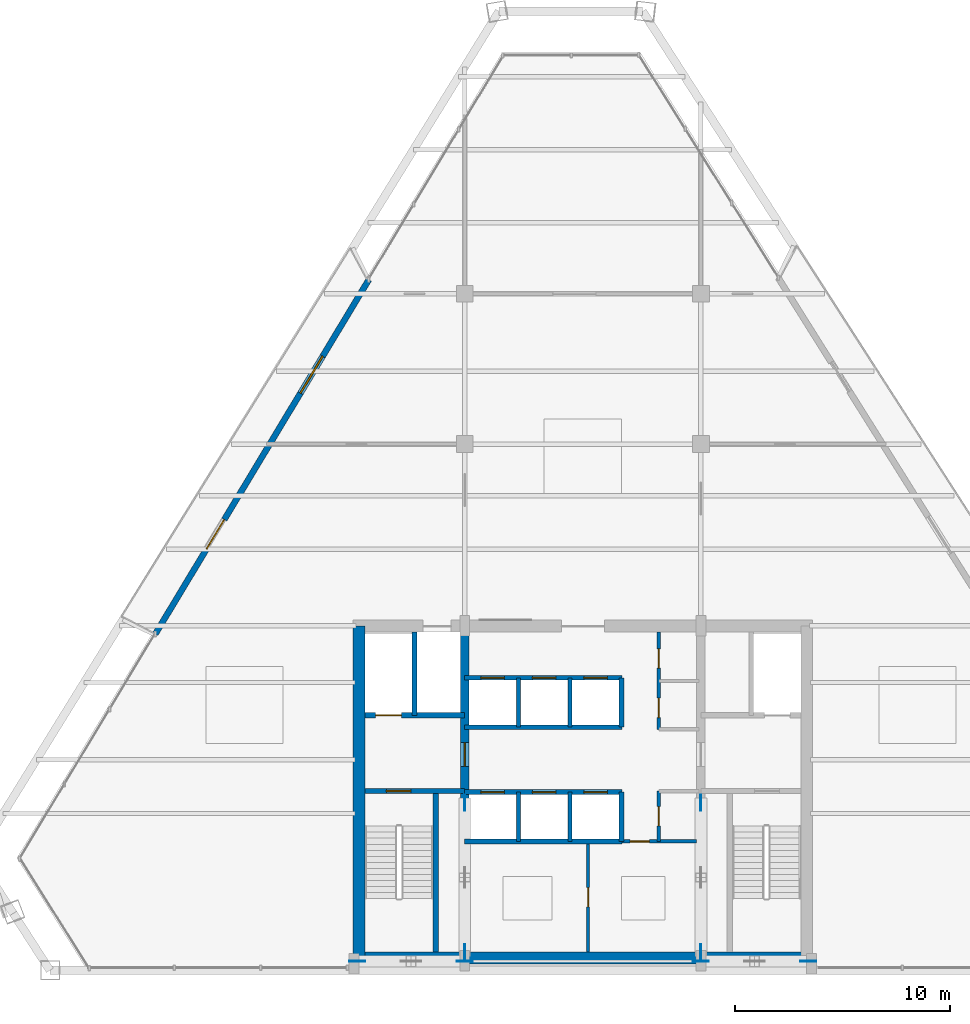
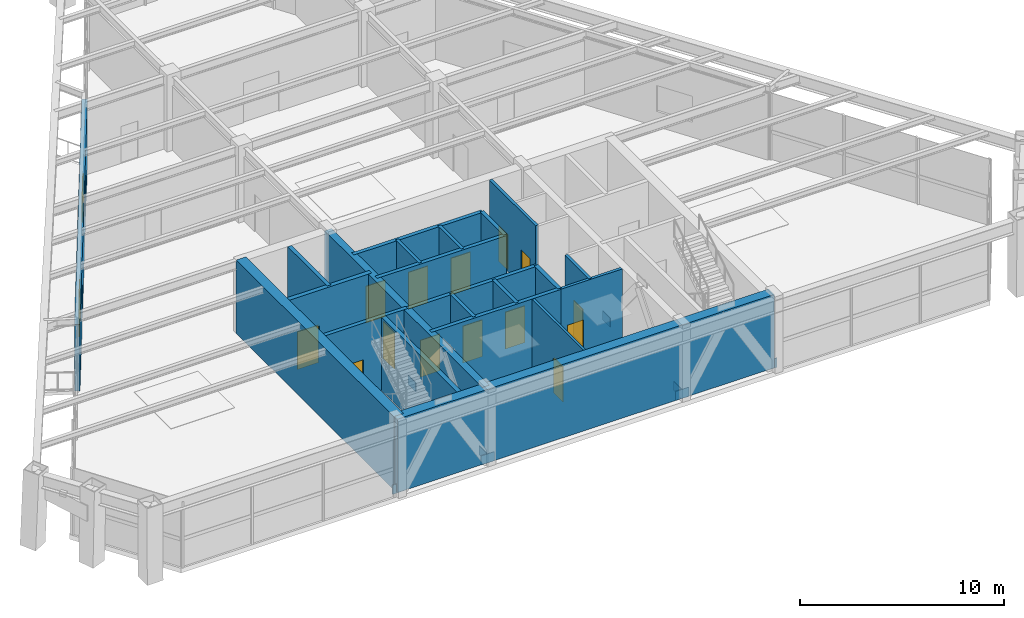
# One storey, part 7 of 11: 22 walls, 15 doors, 8 plates, 1 window, 16 openings.
"""IFC4 building model written with IfcOpenShell, lengths in metres."""

import ifcopenshell
import ifcopenshell.guid

model = None  # the IFC model being written
_history = None  # IfcOwnerHistory: only IFC2X3 demands one
_inside = {}  # id of a spatial element -> (the spatial element, [elements in it])
_under = {}  # id of a project, library or spatial element -> (it, [spatial elements below it])
_declared = {}  # id of a project -> (the project, [libraries it declares])
_typed = {}  # id of a type object -> (the type object, [elements of that type])
_made_of = {}  # id of a material, layer set ... -> (it, [elements and type objects made of it])


def new_model(schema):
    """Start an empty IFC model of exactly this schema.

    Asked for "IFC4X3", IfcOpenShell would pick the latest addendum, in which some entities
    have other attributes; the version numbers below select the first issue.
    IFC2X3 requires an IfcOwnerHistory on every rooted entity: one is made here for all.
    """
    global model, _history
    if schema == "IFC4X3":
        model = ifcopenshell.file(schema_version=(4, 3, 0, 0))
    else:
        model = ifcopenshell.file(schema=schema)
    _inside.clear()
    _under.clear()
    _declared.clear()
    _typed.clear()
    _made_of.clear()
    _history = None
    if model.schema == "IFC2X3":
        org = make("IfcOrganization", Name="unknown")
        user = make(
            "IfcPersonAndOrganization",
            ThePerson=make("IfcPerson", FamilyName="unknown"),
            TheOrganization=org,
        )
        app = make(
            "IfcApplication",
            ApplicationDeveloper=org,
            Version="unknown",
            ApplicationFullName="unknown",
            ApplicationIdentifier="unknown",
        )
        _history = make(
            "IfcOwnerHistory",
            OwningUser=user,
            OwningApplication=app,
            ChangeAction="ADDED",
            CreationDate=0,
        )
    return model


def make(cls, **values):
    """One entity of the class cls with the attributes given. An attribute that is None is left unset."""
    return model.create_entity(
        cls, **{name: value for name, value in values.items() if value is not None}
    )


def rooted(cls, **values):
    """An entity with a GlobalId (a new one), such as an element, a storey or a relation."""
    return make(cls, GlobalId=ifcopenshell.guid.new(), OwnerHistory=_history, **values)


def si_unit(unit_type, name, prefix=None):
    """IfcSIUnit, for example si_unit("LENGTHUNIT", "METRE", prefix="MILLI")."""
    return make("IfcSIUnit", UnitType=unit_type, Prefix=prefix, Name=name)


def assignment(units):
    """IfcUnitAssignment: the units of a project."""
    return None if units is None else make("IfcUnitAssignment", Units=units)


def point(xyz):
    """IfcCartesianPoint."""
    return None if xyz is None else make("IfcCartesianPoint", Coordinates=xyz)


def direction(xyz):
    """IfcDirection."""
    return None if xyz is None else make("IfcDirection", DirectionRatios=xyz)


def frame(location, z_axis=None, x_axis=None):
    """IfcAxis2Placement3D, a coordinate frame: its origin and axes. An axis left out is left unset."""
    return make(
        "IfcAxis2Placement3D",
        Location=point(location),
        Axis=direction(z_axis),
        RefDirection=direction(x_axis),
    )


def frame_2d(location, x_axis=None):
    """IfcAxis2Placement2D, a coordinate frame in the plane: its origin and x axis."""
    return make(
        "IfcAxis2Placement2D", Location=point(location), RefDirection=direction(x_axis)
    )


def origin():
    """The frame at (0, 0, 0) with its axes left unset."""
    return frame((0.0, 0.0, 0.0))


def origin_2d():
    """The frame at (0, 0) in the plane with its x axis left unset."""
    return frame_2d((0.0, 0.0))


def place(relative_to, where):
    """IfcLocalPlacement: puts the frame where relative to a parent placement (None: the world)."""
    return make(
        "IfcLocalPlacement", PlacementRelTo=relative_to, RelativePlacement=where
    )


def context(
    kind, dimensions, precision=None, world=None, true_north=None, identifier=None
):
    """IfcGeometricRepresentationContext, for example the 3D "Model" context."""
    return make(
        "IfcGeometricRepresentationContext",
        ContextIdentifier=identifier,
        ContextType=kind,
        CoordinateSpaceDimension=dimensions,
        Precision=precision,
        WorldCoordinateSystem=world,
        TrueNorth=true_north,
    )


def subcontext(parent, identifier, kind, view, scale=None):
    """IfcGeometricRepresentationSubContext, for example "Body" below "Model"."""
    return make(
        "IfcGeometricRepresentationSubContext",
        ContextIdentifier=identifier,
        ContextType=kind,
        ParentContext=parent,
        TargetScale=scale,
        TargetView=view,
    )


def project(units=None, contexts=None):
    """IfcProject with its units and contexts."""
    return rooted(
        "IfcProject",
        Name="project",
        RepresentationContexts=contexts,
        UnitsInContext=assignment(units),
    )


def spatial(cls, under=None, at=None, **own):
    """A site, building, storey or space (cls), placed at a placement, below another one or the project."""
    s = rooted(cls, ObjectPlacement=at, **own)
    if under is not None:
        _under.setdefault(under.id(), (under, []))[1].append(s)
    return s


def profile(cls, at=None, kind="AREA", **sizes):
    """A parametric profile (cls). Its sizes go by their IFC names, for example OverallWidth=200.0."""
    return make(cls, ProfileType=kind, Position=at, **sizes)


def rectangle(**sizes):
    """IfcRectangleProfileDef."""
    return profile("IfcRectangleProfileDef", **sizes)


def extrude(swept, where, along, depth):
    """IfcExtrudedAreaSolid: the profile swept, set in the frame where, extruded along a direction by depth."""
    return make(
        "IfcExtrudedAreaSolid",
        SweptArea=swept,
        Position=where,
        ExtrudedDirection=direction(along),
        Depth=depth,
    )


def shape(context_of_items, identifier, shape_type, items):
    """IfcShapeRepresentation: the items that make up one representation, for example the "Body"."""
    return make(
        "IfcShapeRepresentation",
        ContextOfItems=context_of_items,
        RepresentationIdentifier=identifier,
        RepresentationType=shape_type,
        Items=items,
    )


def source(mapping_origin, context_of_items, identifier, shape_type, items):
    """IfcRepresentationMap: a shape defined once, which mapped items show again and again."""
    return make(
        "IfcRepresentationMap",
        MappingOrigin=mapping_origin,
        MappedRepresentation=shape(context_of_items, identifier, shape_type, items),
    )


def transform(
    local_origin,
    x_axis=None,
    y_axis=None,
    z_axis=None,
    scale=None,
    scale2=None,
    scale3=None,
    uniform=True,
):
    """IfcCartesianTransformationOperator3D, or its non-uniform kind. x_axis, y_axis, z_axis: its Axis1, 2, 3."""
    if uniform:
        return make(
            "IfcCartesianTransformationOperator3D",
            Axis1=direction(x_axis),
            Axis2=direction(y_axis),
            LocalOrigin=point(local_origin),
            Scale=scale,
            Axis3=direction(z_axis),
        )
    return make(
        "IfcCartesianTransformationOperator3DnonUniform",
        Axis1=direction(x_axis),
        Axis2=direction(y_axis),
        LocalOrigin=point(local_origin),
        Scale=scale,
        Axis3=direction(z_axis),
        Scale2=scale2,
        Scale3=scale3,
    )


def mapped(mapping_source, mapping_target):
    """IfcMappedItem: shows the shape of a source again, moved by a transform."""
    return make(
        "IfcMappedItem", MappingSource=mapping_source, MappingTarget=mapping_target
    )


def material(Name=None, Category=None):
    """IfcMaterial."""
    return make("IfcMaterial", Name=Name, Category=Category)


def layer(
    of_material, thickness, ventilated=None, Name=None, Category=None, Priority=None
):
    """IfcMaterialLayer: one layer of a wall or slab, of a material (None: an air gap)."""
    return make(
        "IfcMaterialLayer",
        Material=of_material,
        LayerThickness=thickness,
        IsVentilated=ventilated,
        Name=Name,
        Category=Category,
        Priority=Priority,
    )


def layer_set(layers, Name=None):
    """IfcMaterialLayerSet."""
    return make("IfcMaterialLayerSet", MaterialLayers=layers, LayerSetName=Name)


def made_of(thing, what):
    """Note that an element or type object is made of a material, layer set ...; save() writes the relation."""
    if what is not None:
        _made_of.setdefault(what.id(), (what, []))[1].append(thing)
    return thing


def type_object(cls, material=None, **own):
    """A type object (cls), such as IfcWallType, which elements share."""
    return made_of(rooted(cls, **own), material)


def type_shapes(of_type, sources):
    """Give a type object the sources (RepresentationMaps) that its elements show as mapped items."""
    of_type.RepresentationMaps = sources


def element(
    cls,
    number,
    at=None,
    inside=None,
    cuts=None,
    type_object=None,
    material=None,
    context=None,
    identifier="Body",
    shape_type=None,
    held_by="IfcProductDefinitionShape",
    body=None,
    shapes=None,
    **own,
):
    """One element of the class cls, such as IfcWall. Its Tag is "e" and its number.

    at: its placement. inside: the storey or other place that contains it. cuts: it is an
    opening in that element (IfcRelVoidsElement). A single representation is given by context,
    identifier, shape_type and body (its items); several are given by shapes. held_by: the class
    of the entity that holds the representations. save() writes the other relations.
    """
    e = rooted(cls, Tag="e%d" % number, ObjectPlacement=at, **own)
    if body is not None:
        shapes = [shape(context, identifier, shape_type, body)]
    if shapes is not None:
        e.Representation = make(held_by, Representations=shapes)
    if inside is not None:
        _inside.setdefault(inside.id(), (inside, []))[1].append(e)
    if cuts is not None:
        rooted(
            "IfcRelVoidsElement", RelatingBuildingElement=cuts, RelatedOpeningElement=e
        )
    if type_object is not None:
        _typed.setdefault(type_object.id(), (type_object, []))[1].append(e)
    return made_of(e, material)


def fill(opening, filler):
    """IfcRelFillsElement: the door or window that sits in an opening."""
    return rooted(
        "IfcRelFillsElement",
        RelatingOpeningElement=opening,
        RelatedBuildingElement=filler,
    )


def aggregate(whole, parts):
    """IfcRelAggregates: a whole, such as a stair, and the parts it consists of."""
    return rooted("IfcRelAggregates", RelatingObject=whole, RelatedObjects=parts)


def save(model, path):
    """Write the relations noted so far, then the file.

    IfcRelAggregates (storeys below a building ...), IfcRelContainedInSpatialStructure (elements
    in a storey), IfcRelDefinesByType, IfcRelAssociatesMaterial and IfcRelDeclares: one each for
    every whole, place, type object, material and project.
    """
    for whole, parts in _under.values():
        aggregate(whole, parts)
    for where, things in _inside.values():
        rooted(
            "IfcRelContainedInSpatialStructure",
            RelatedElements=things,
            RelatingStructure=where,
        )
    for kind, things in _typed.values():
        rooted("IfcRelDefinesByType", RelatedObjects=things, RelatingType=kind)
    for what, things in _made_of.values():
        rooted("IfcRelAssociatesMaterial", RelatedObjects=things, RelatingMaterial=what)
    for by, libraries in _declared.values():
        rooted("IfcRelDeclares", RelatingContext=by, RelatedDefinitions=libraries)
    model.write(path)


model = new_model("IFC4")

# Units and contexts
model_context = context("Model", 3, precision=1e-05, world=origin(), true_north=direction((0.0, 1.0)))
body_context = subcontext(model_context, "Body", "Model", "MODEL_VIEW")
ifc_project = project(units=[si_unit("LENGTHUNIT", "METRE"), si_unit("AREAUNIT", "SQUARE_METRE"), si_unit("VOLUMEUNIT", "CUBIC_METRE"), si_unit("PLANEANGLEUNIT", "RADIAN"), si_unit("MASSUNIT", "GRAM", prefix="KILO")], contexts=[model_context])

# Site, building, storey
site_placement = place(None, origin())
site = spatial("IfcSite", under=ifc_project, at=site_placement, CompositionType="ELEMENT")
building_placement = place(site_placement, origin())
building = spatial("IfcBuilding", under=site, at=building_placement, Name="Varnakhor Terracotta Tower", CompositionType="ELEMENT")
storey_placement = place(building_placement, frame((0.0, 0.0, 215.39990234375)))
storey = spatial("IfcBuildingStorey", under=building, at=storey_placement, Name="L55", CompositionType="ELEMENT", Elevation=215.39990234375)

# Plates
ifc_material_1 = material(Name="Steel S460", Category="steel")
ifc_layer_1 = layer(ifc_material_1, 0.050048828125, Name="Steel S460")
ifc_layer_set_1 = layer_set([ifc_layer_1], Name="Steel S460")
plate_type = type_object("IfcPlateType", Name="PLT-GUSSET-50", PredefinedType="USERDEFINED", material=ifc_layer_set_1)
shared_shape_1 = source(origin(), body_context, "Body", "SweptSolid", [
    extrude(rectangle(XDim=0.75, YDim=0.0400390625, at=origin_2d()), origin(), (0.0, 0.0, 1.0), 0.550048828125),
])
type_shapes(plate_type, [shared_shape_1])
for number, where, z_axis, x_axis, name in (
    (1, (-10.5, 0.419921875, -0.0947265625), (0.0, 0.0, 1.0), (1.0, 0.0, 0.0), "L55 Core Brace Embed Plate CSWA"),
    (2, (-5.5, 0.419921875, -0.0947265625), (0.0, 0.0, 1.0), (1.0, 0.0, 0.0), "L55 Core Brace Embed Plate CSWB"),
    (3, (5.5, 0.419921875, -0.0947265625), (0.0, 0.0, 1.0), (1.0, 0.0, 0.0), "L55 Core Brace Embed Plate CSEA"),
    (4, (10.5, 0.419921875, -0.0947265625), (0.0, 0.0, 1.0), (1.0, 0.0, 0.0), "L55 Core Brace Embed Plate CSEB"),
    (5, (-5.5, 0.85009765625, -0.0947265625), (0.0, 0.0, 1.0), (0.0, 1.0, 0.0), "L55 Core Brace Embed Plate CWWA"),
    (6, (-5.5, 7.800048828125, -0.0947265625), (0.0, 0.0, 1.0), (0.0, 1.0, 0.0), "L55 Core Brace Embed Plate CWWB"),
    (7, (5.5, 0.85009765625, -0.0947265625), (0.0, 0.0, 1.0), (0.0, 1.0, 0.0), "L55 Core Brace Embed Plate CWEA"),
    (8, (5.5, 7.800048828125, -0.0947265625), (0.0, 0.0, 1.0), (0.0, 1.0, 0.0), "L55 Core Brace Embed Plate CWEB"),
):
    element("IfcPlate", number, at=place(storey_placement, frame(where, z_axis=z_axis, x_axis=x_axis)), inside=storey, type_object=plate_type, Name=name, ObjectType="GUSSET PLATE", PredefinedType="USERDEFINED", context=body_context, shape_type="MappedRepresentation", body=[
        mapped(shared_shape_1, transform((0.0, 0.0, 0.0), scale=1.0)),
    ])

# Walls
ifc_material_2 = material(Name="Concrete C50/60", Category="concrete")
ifc_layer_2 = layer(ifc_material_2, 0.550048828125, Name="Concrete C50/60")
ifc_layer_set_2 = layer_set([ifc_layer_2], Name="Concrete C50/60")
wall_type_1 = type_object("IfcWallType", Name="WAL-CORE-550", PredefinedType="SHEAR", material=ifc_layer_set_2)
wall_1_placement = place(storey_placement, frame((-10.64990234375, 0.574951171875, 0.0), z_axis=(0.0, 0.0, 1.0), x_axis=(1.0, 0.0, 0.0)))
element("IfcWall", 9, at=wall_1_placement, inside=storey, type_object=wall_type_1, Name="L55 South Core Shear Wall", PredefinedType="SHEAR", context=body_context, shape_type="SweptSolid", body=[
    extrude(rectangle(XDim=21.2998046875, YDim=0.550048828125, at=frame_2d((10.64990234375, 0.0))), origin(), (0.0, 0.0, 1.0), 4.39013671875),
])
wall_2_placement = place(storey_placement, frame((-10.425048828125, 0.574951171875, 0.0), z_axis=(0.0, 0.0, 1.0), x_axis=(0.0, 1.0, 0.0)))
element("IfcWall", 10, at=wall_2_placement, inside=storey, type_object=wall_type_1, Name="L55 West Core Shear Wall", PredefinedType="SHEAR", context=body_context, shape_type="SweptSolid", body=[
    extrude(rectangle(XDim=15.449951171875, YDim=0.550048828125, at=frame_2d((7.72509765625, 0.0))), origin(), (0.0, 0.0, 1.0), 4.39013671875),
])

# Wall, opening, door
ifc_layer_3 = layer(ifc_material_2, 0.39990234375, Name="Concrete C50/60")
ifc_layer_set_3 = layer_set([ifc_layer_3], Name="Concrete C50/60")
wall_type_2 = type_object("IfcWallType", Name="WAL-CORE-WEB-400", PredefinedType="SHEAR", material=ifc_layer_set_3)
wall_3_placement = place(storey_placement, frame((-5.5, 0.574951171875, 0.0), z_axis=(0.0, 0.0, 1.0), x_axis=(0.0, 1.0, 0.0)))
wall_3 = element("IfcWall", 11, at=wall_3_placement, inside=storey, type_object=wall_type_2, Name="L55 West Core Web Shear Wall", PredefinedType="SHEAR", context=body_context, shape_type="SweptSolid", body=[
    extrude(rectangle(XDim=15.449951171875, YDim=0.39990234375, at=frame_2d((7.72509765625, 0.0))), origin(), (0.0, 0.0, 1.0), 4.39013671875),
])
opening_1_placement = place(wall_3_placement, frame((8.925048828125, 0.0, 0.0)))
opening_1 = element("IfcOpeningElement", 12, at=opening_1_placement, cuts=wall_3, Name="Opening DR-25", PredefinedType="OPENING", context=body_context, shape_type="SweptSolid", body=[
    extrude(rectangle(XDim=1.10009765625, YDim=2.199951171875, at=frame_2d((0.550048828125, 1.10009765625))), frame((0.0, 0.2099609375, 0.0), z_axis=(0.0, -1.0, 0.0), x_axis=(1.0, 0.0, 0.0)), (0.0, 0.0, 1.0), 0.419921875),
])
ifc_material_3 = material(Name="Firefighting Lobby Self-Closing Fire Door", Category="steel")
door_type_1 = type_object("IfcDoorType", Name="DR-FFL-1100X2200", OperationType="NOTDEFINED", PredefinedType="DOOR", material=ifc_material_3)
shared_shape_2 = source(origin(), body_context, "Body", "SweptSolid", [
    extrude(rectangle(XDim=1.10009765625, YDim=2.199951171875, at=frame_2d((0.550048828125, 1.10009765625))), frame((0.0, 0.02490234375, 0.0), z_axis=(0.0, -1.0, 0.0), x_axis=(1.0, 0.0, 0.0)), (0.0, 0.0, 1.0), 0.050048828125),
])
type_shapes(door_type_1, [shared_shape_2])
door_1_placement = place(opening_1_placement, origin())
door_1 = element("IfcDoor", 13, at=door_1_placement, inside=storey, type_object=door_type_1, Name="L55 West Firefighting Lobby Door", OperationType="SINGLE_SWING_LEFT", OverallHeight=2.199951171875, OverallWidth=1.10009765625, PredefinedType="DOOR", context=body_context, shape_type="MappedRepresentation", body=[
    mapped(shared_shape_2, transform((0.0, 0.0, 0.0), scale=1.0)),
])
fill(opening_1, door_1)

# Wall, openings, door, window
ifc_material_4 = material(Name="Extruded Architectural Terracotta Assembly", Category="masonry")
ifc_layer_4 = layer(ifc_material_4, 0.280029296875, Name="Extruded Architectural Terracotta Assembly")
ifc_layer_set_4 = layer_set([ifc_layer_4], Name="Extruded Architectural Terracotta Assembly")
wall_type_3 = type_object("IfcWallType", Name="WAL-EXT-TERRACOTTA-280", PredefinedType="SOLIDWALL", material=ifc_layer_set_4)
wall_4_placement = place(storey_placement, frame((-19.902587890625, 15.65576171875, 0.0), z_axis=(0.0, 0.0, 1.0), x_axis=(0.516051519047, 0.856557546047, 0.0)))
wall_4 = element("IfcWall", 14, at=wall_4_placement, inside=storey, type_object=wall_type_3, Name="L55 W Loggia Insulated Terracotta Wall", PredefinedType="SOLIDWALL", context=body_context, shape_type="SweptSolid", body=[
    extrude(rectangle(XDim=19.25927734375, YDim=0.280029296875, at=frame_2d((9.629638671875, 0.0))), origin(), (0.0, 0.0, 1.0), 3.97021484375),
])
opening_2_placement = place(wall_4_placement, frame((4.622314453125, 0.0, 0.0)))
opening_2 = element("IfcOpeningElement", 15, at=opening_2_placement, cuts=wall_4, Name="Opening DR-62", PredefinedType="OPENING", context=body_context, shape_type="SweptSolid", body=[
    extrude(rectangle(XDim=1.60009765625, YDim=2.35009765625, at=frame_2d((0.800048828125, 1.175048828125))), frame((0.0, 0.14990234375, 0.0), z_axis=(0.0, -1.0, 0.0), x_axis=(1.0, 0.0, 0.0)), (0.0, 0.0, 1.0), 0.300048828125),
])
opening_3_placement = place(wall_4_placement, frame((13.09619140625, 0.0, 0.89990234375)))
opening_3 = element("IfcOpeningElement", 16, at=opening_3_placement, cuts=wall_4, Name="Opening WN-58", PredefinedType="OPENING", context=body_context, shape_type="SweptSolid", body=[
    extrude(rectangle(XDim=2.0, YDim=1.550048828125, at=frame_2d((1.0, 0.77490234375))), frame((0.0, 0.14990234375, 0.0), z_axis=(0.0, -1.0, 0.0), x_axis=(1.0, 0.0, 0.0)), (0.0, 0.0, 1.0), 0.300048828125),
])
ifc_material_5 = material(Name="Thermally Broken Sliding Glass Loggia Door", Category="glass")
door_type_2 = type_object("IfcDoorType", Name="DR-EXT-LOGGIA-1600X2350", OperationType="NOTDEFINED", PredefinedType="DOOR", material=ifc_material_5)
shared_shape_3 = source(origin(), body_context, "Body", "SweptSolid", [
    extrude(rectangle(XDim=1.60009765625, YDim=2.35009765625, at=frame_2d((0.800048828125, 1.175048828125))), frame((0.0, 0.02490234375, 0.0), z_axis=(0.0, -1.0, 0.0), x_axis=(1.0, 0.0, 0.0)), (0.0, 0.0, 1.0), 0.050048828125),
])
type_shapes(door_type_2, [shared_shape_3])
door_2_placement = place(opening_2_placement, origin())
door_2 = element("IfcDoor", 17, at=door_2_placement, inside=storey, type_object=door_type_2, Name="L55 W Recessed Loggia Sliding Door", OperationType="SLIDING_TO_LEFT", OverallHeight=2.35009765625, OverallWidth=1.60009765625, PredefinedType="DOOR", context=body_context, shape_type="MappedRepresentation", body=[
    mapped(shared_shape_3, transform((0.0, 0.0, 0.0), scale=1.0)),
])
fill(opening_2, door_2)
ifc_material_6 = material(Name="Solar-Control Low-E Insulated Glass Unit", Category="glass")
window_type = type_object("IfcWindowType", Name="WIN-SKY-2600X1600", PartitioningType="SINGLE_PANEL", PredefinedType="WINDOW", material=ifc_material_6)
shared_shape_4 = source(origin(), body_context, "Body", "SweptSolid", [
    extrude(rectangle(XDim=2.0, YDim=1.550048828125, at=frame_2d((1.0, 0.77490234375))), frame((0.0, 0.030029296875, 0.0), z_axis=(0.0, -1.0, 0.0), x_axis=(1.0, 0.0, 0.0)), (0.0, 0.0, 1.0), 0.06005859375),
])
type_shapes(window_type, [shared_shape_4])
window_placement = place(opening_3_placement, origin())
window = element("IfcWindow", 18, at=window_placement, inside=storey, type_object=window_type, Name="L55 W Facet Punched Window", OverallHeight=1.550048828125, OverallWidth=2.0, PartitioningType="SINGLE_PANEL", PredefinedType="WINDOW", context=body_context, shape_type="MappedRepresentation", body=[
    mapped(shared_shape_4, transform((0.0, 0.0, 0.0), scale=1.0)),
])
fill(opening_3, window)

# Wall, opening, door
ifc_material_7 = material(Name="Concrete C40/50", Category="concrete")
ifc_layer_5 = layer(ifc_material_7, 0.219970703125, Name="Concrete C40/50")
ifc_layer_set_5 = layer_set([ifc_layer_5], Name="Concrete C40/50")
wall_type_4 = type_object("IfcWallType", Name="WAL-FFLOBBY-220", PredefinedType="SOLIDWALL", material=ifc_layer_set_5)
wall_5_placement = place(storey_placement, frame((-5.5, 8.35009765625, 0.0), z_axis=(0.0, 0.0, 1.0), x_axis=(-1.0, 0.0, 0.0)))
wall_5 = element("IfcWall", 19, at=wall_5_placement, inside=storey, type_object=wall_type_4, Name="L55 West Firefighting Lobby Stair Wall", PredefinedType="SOLIDWALL", context=body_context, shape_type="SweptSolid", body=[
    extrude(rectangle(XDim=4.64990234375, YDim=0.219970703125, at=frame_2d((2.324951171875, 0.0))), origin(), (0.0, 0.0, 1.0), 4.39013671875),
])
opening_4_placement = place(wall_5_placement, frame((2.5, 0.0, 0.0)))
opening_4 = element("IfcOpeningElement", 20, at=opening_4_placement, cuts=wall_5, Name="Opening DR-34", PredefinedType="OPENING", context=body_context, shape_type="SweptSolid", body=[
    extrude(rectangle(XDim=1.14990234375, YDim=2.199951171875, at=frame_2d((0.574951171875, 1.10009765625))), frame((0.0, 0.1201171875, 0.0), z_axis=(0.0, -1.0, 0.0), x_axis=(1.0, 0.0, 0.0)), (0.0, 0.0, 1.0), 0.239990234375),
])
ifc_material_8 = material(Name="Self-Closing Smoke-Sealed Steel Fire Door", Category="steel")
door_type_3 = type_object("IfcDoorType", Name="DR-STAIR-1150X2200", OperationType="NOTDEFINED", PredefinedType="DOOR", material=ifc_material_8)
shared_shape_5 = source(origin(), body_context, "Body", "SweptSolid", [
    extrude(rectangle(XDim=1.14990234375, YDim=2.199951171875, at=frame_2d((0.574951171875, 1.10009765625))), frame((0.0, 0.02490234375, 0.0), z_axis=(0.0, -1.0, 0.0), x_axis=(1.0, 0.0, 0.0)), (0.0, 0.0, 1.0), 0.050048828125),
])
type_shapes(door_type_3, [shared_shape_5])
door_3_placement = place(opening_4_placement, origin())
door_3 = element("IfcDoor", 21, at=door_3_placement, inside=storey, type_object=door_type_3, Name="L55 Exit Stair ST-1 Fire Door", OperationType="SINGLE_SWING_RIGHT", OverallHeight=2.199951171875, OverallWidth=1.14990234375, PredefinedType="DOOR", context=body_context, shape_type="MappedRepresentation", body=[
    mapped(shared_shape_5, transform((0.0, 0.0, 0.0), scale=1.0)),
])
fill(opening_4, door_3)

# Walls
ifc_layer_6 = layer(ifc_material_7, 0.179931640625, Name="Concrete C40/50")
ifc_layer_set_6 = layer_set([ifc_layer_6], Name="Concrete C40/50")
wall_type_5 = type_object("IfcWallType", Name="WAL-SHAFT-180", PredefinedType="SOLIDWALL", material=ifc_layer_set_6)
for number, where, z_axis, x_axis, name in (
    (22, (-3.0, 6.0, 0.0), (0.0, 0.0, 1.0), (0.0, 1.0, 0.0), "L55 PL-2A Divider"),
    (23, (-0.60009765625, 6.0, 0.0), (0.0, 0.0, 1.0), (0.0, 1.0, 0.0), "L55 PL-2B Divider"),
    (24, (-3.0, 11.320068359375, 0.0), (0.0, 0.0, 1.0), (0.0, 1.0, 0.0), "L55 PL-3A Divider"),
    (25, (-0.60009765625, 11.320068359375, 0.0), (0.0, 0.0, 1.0), (0.0, 1.0, 0.0), "L55 PL-3B Divider"),
):
    element("IfcWall", number, at=place(storey_placement, frame(where, z_axis=z_axis, x_axis=x_axis)), inside=storey, type_object=wall_type_5, Name=name, PredefinedType="SOLIDWALL", context=body_context, shape_type="SweptSolid", body=[
        extrude(rectangle(XDim=2.300048828125, YDim=0.179931640625, at=frame_2d((1.14990234375, 0.0))), origin(), (0.0, 0.0, 1.0), 4.39013671875),
    ])
ifc_layer_7 = layer(ifc_material_7, 0.219970703125, Name="Concrete C40/50")
ifc_layer_set_7 = layer_set([ifc_layer_7], Name="Concrete C40/50")
wall_type_6 = type_object("IfcWallType", Name="WAL-SHAFT-220", PredefinedType="SOLIDWALL", material=ifc_layer_set_7)
wall_6_placement = place(storey_placement, frame((-7.840087890625, 11.8701171875, 0.0), z_axis=(0.0, 0.0, 1.0), x_axis=(0.0, 1.0, 0.0)))
element("IfcWall", 26, at=wall_6_placement, inside=storey, type_object=wall_type_6, Name="L55 Lift FFL-1 and SVL-1 Divider Wall", PredefinedType="SOLIDWALL", context=body_context, shape_type="SweptSolid", body=[
    extrude(rectangle(XDim=3.8798828125, YDim=0.219970703125, at=frame_2d((1.93994140625, 0.0))), origin(), (0.0, 0.0, 1.0), 4.39013671875),
])
wall_7_placement = place(storey_placement, frame((-5.5, 6.0, 0.0), z_axis=(0.0, 0.0, 1.0), x_axis=(1.0, 0.0, 0.0)))
element("IfcWall", 27, at=wall_7_placement, inside=storey, type_object=wall_type_6, Name="L55 Bank 2 South Shaft Wall", PredefinedType="SOLIDWALL", context=body_context, shape_type="SweptSolid", body=[
    extrude(rectangle(XDim=7.320068359375, YDim=0.219970703125, at=frame_2d((3.66015625, 0.0))), origin(), (0.0, 0.0, 1.0), 4.39013671875),
])

# Wall, openings, doors
wall_8_placement = place(storey_placement, frame((-5.5, 8.300048828125, 0.0), z_axis=(0.0, 0.0, 1.0), x_axis=(1.0, 0.0, 0.0)))
wall_8 = element("IfcWall", 28, at=wall_8_placement, inside=storey, type_object=wall_type_6, Name="L55 Bank 2 North Shaft Wall", PredefinedType="SOLIDWALL", context=body_context, shape_type="SweptSolid", body=[
    extrude(rectangle(XDim=7.320068359375, YDim=0.219970703125, at=frame_2d((3.66015625, 0.0))), origin(), (0.0, 0.0, 1.0), 4.39013671875),
])
opening_5_placement = place(wall_8_placement, frame((0.75, 0.0, 0.0)))
opening_5 = element("IfcOpeningElement", 29, at=opening_5_placement, cuts=wall_8, Name="Opening LD-01", PredefinedType="OPENING", context=body_context, shape_type="SweptSolid", body=[
    extrude(rectangle(XDim=1.10009765625, YDim=2.199951171875, at=frame_2d((0.550048828125, 1.10009765625))), frame((0.0, 0.1201171875, 0.0), z_axis=(0.0, -1.0, 0.0), x_axis=(1.0, 0.0, 0.0)), (0.0, 0.0, 1.0), 0.239990234375),
])
opening_6_placement = place(wall_8_placement, frame((3.14990234375, 0.0, 0.0)))
opening_6 = element("IfcOpeningElement", 30, at=opening_6_placement, cuts=wall_8, Name="Opening LD-01", PredefinedType="OPENING", context=body_context, shape_type="SweptSolid", body=[
    extrude(rectangle(XDim=1.10009765625, YDim=2.199951171875, at=frame_2d((0.550048828125, 1.10009765625))), frame((0.0, 0.1201171875, 0.0), z_axis=(0.0, -1.0, 0.0), x_axis=(1.0, 0.0, 0.0)), (0.0, 0.0, 1.0), 0.239990234375),
])
opening_7_placement = place(wall_8_placement, frame((5.550048828125, 0.0, 0.0)))
opening_7 = element("IfcOpeningElement", 31, at=opening_7_placement, cuts=wall_8, Name="Opening LD-01", PredefinedType="OPENING", context=body_context, shape_type="SweptSolid", body=[
    extrude(rectangle(XDim=1.10009765625, YDim=2.199951171875, at=frame_2d((0.550048828125, 1.10009765625))), frame((0.0, 0.1201171875, 0.0), z_axis=(0.0, -1.0, 0.0), x_axis=(1.0, 0.0, 0.0)), (0.0, 0.0, 1.0), 0.239990234375),
])
ifc_material_9 = material(Name="Brushed Stainless Steel Sliding Lift Landing Door", Category="steel")
door_type_4 = type_object("IfcDoorType", Name="LD-PASS-1100X2200", OperationType="NOTDEFINED", PredefinedType="DOOR", material=ifc_material_9)
shared_shape_6 = source(origin(), body_context, "Body", "SweptSolid", [
    extrude(rectangle(XDim=1.10009765625, YDim=2.199951171875, at=frame_2d((0.550048828125, 1.10009765625))), frame((0.0, 0.02490234375, 0.0), z_axis=(0.0, -1.0, 0.0), x_axis=(1.0, 0.0, 0.0)), (0.0, 0.0, 1.0), 0.050048828125),
])
type_shapes(door_type_4, [shared_shape_6])
door_4_placement = place(opening_5_placement, origin())
door_4 = element("IfcDoor", 32, at=door_4_placement, inside=storey, type_object=door_type_4, Name="L55 Passenger Lift PL-2A Landing Door", OperationType="SLIDING_TO_LEFT", OverallHeight=2.199951171875, OverallWidth=1.10009765625, PredefinedType="DOOR", context=body_context, shape_type="MappedRepresentation", body=[
    mapped(shared_shape_6, transform((0.0, 0.0, 0.0), scale=1.0)),
])
fill(opening_5, door_4)
door_5_placement = place(opening_6_placement, origin())
door_5 = element("IfcDoor", 33, at=door_5_placement, inside=storey, type_object=door_type_4, Name="L55 Passenger Lift PL-2B Landing Door", OperationType="SLIDING_TO_LEFT", OverallHeight=2.199951171875, OverallWidth=1.10009765625, PredefinedType="DOOR", context=body_context, shape_type="MappedRepresentation", body=[
    mapped(shared_shape_6, transform((0.0, 0.0, 0.0), scale=1.0)),
])
fill(opening_6, door_5)
door_6_placement = place(opening_7_placement, origin())
door_6 = element("IfcDoor", 34, at=door_6_placement, inside=storey, type_object=door_type_4, Name="L55 Passenger Lift PL-2C Landing Door", OperationType="SLIDING_TO_LEFT", OverallHeight=2.199951171875, OverallWidth=1.10009765625, PredefinedType="DOOR", context=body_context, shape_type="MappedRepresentation", body=[
    mapped(shared_shape_6, transform((0.0, 0.0, 0.0), scale=1.0)),
])
fill(opening_7, door_6)

# Walls
wall_9_placement = place(storey_placement, frame((1.800048828125, 6.0, 0.0), z_axis=(0.0, 0.0, 1.0), x_axis=(0.0, 1.0, 0.0)))
element("IfcWall", 35, at=wall_9_placement, inside=storey, type_object=wall_type_6, Name="L55 Bank 2 East Shaft Wall", PredefinedType="SOLIDWALL", context=body_context, shape_type="SweptSolid", body=[
    extrude(rectangle(XDim=2.300048828125, YDim=0.219970703125, at=frame_2d((1.14990234375, 0.0))), origin(), (0.0, 0.0, 1.0), 4.39013671875),
])
wall_10_placement = place(storey_placement, frame((-5.5, 11.320068359375, 0.0), z_axis=(0.0, 0.0, 1.0), x_axis=(1.0, 0.0, 0.0)))
element("IfcWall", 36, at=wall_10_placement, inside=storey, type_object=wall_type_6, Name="L55 Bank 3 South Shaft Wall", PredefinedType="SOLIDWALL", context=body_context, shape_type="SweptSolid", body=[
    extrude(rectangle(XDim=7.320068359375, YDim=0.219970703125, at=frame_2d((3.66015625, 0.0))), origin(), (0.0, 0.0, 1.0), 4.39013671875),
])

# Wall, openings, doors
wall_11_placement = place(storey_placement, frame((-5.5, 13.6201171875, 0.0), z_axis=(0.0, 0.0, 1.0), x_axis=(1.0, 0.0, 0.0)))
wall_11 = element("IfcWall", 37, at=wall_11_placement, inside=storey, type_object=wall_type_6, Name="L55 Bank 3 North Shaft Wall", PredefinedType="SOLIDWALL", context=body_context, shape_type="SweptSolid", body=[
    extrude(rectangle(XDim=7.320068359375, YDim=0.219970703125, at=frame_2d((3.66015625, 0.0))), origin(), (0.0, 0.0, 1.0), 4.39013671875),
])
opening_8_placement = place(wall_11_placement, frame((0.75, 0.0, 0.0)))
opening_8 = element("IfcOpeningElement", 38, at=opening_8_placement, cuts=wall_11, Name="Opening LD-01", PredefinedType="OPENING", context=body_context, shape_type="SweptSolid", body=[
    extrude(rectangle(XDim=1.10009765625, YDim=2.199951171875, at=frame_2d((0.550048828125, 1.10009765625))), frame((0.0, 0.1201171875, 0.0), z_axis=(0.0, -1.0, 0.0), x_axis=(1.0, 0.0, 0.0)), (0.0, 0.0, 1.0), 0.239990234375),
])
opening_9_placement = place(wall_11_placement, frame((3.14990234375, 0.0, 0.0)))
opening_9 = element("IfcOpeningElement", 39, at=opening_9_placement, cuts=wall_11, Name="Opening LD-01", PredefinedType="OPENING", context=body_context, shape_type="SweptSolid", body=[
    extrude(rectangle(XDim=1.10009765625, YDim=2.199951171875, at=frame_2d((0.550048828125, 1.10009765625))), frame((0.0, 0.1201171875, 0.0), z_axis=(0.0, -1.0, 0.0), x_axis=(1.0, 0.0, 0.0)), (0.0, 0.0, 1.0), 0.239990234375),
])
opening_10_placement = place(wall_11_placement, frame((5.550048828125, 0.0, 0.0)))
opening_10 = element("IfcOpeningElement", 40, at=opening_10_placement, cuts=wall_11, Name="Opening LD-01", PredefinedType="OPENING", context=body_context, shape_type="SweptSolid", body=[
    extrude(rectangle(XDim=1.10009765625, YDim=2.199951171875, at=frame_2d((0.550048828125, 1.10009765625))), frame((0.0, 0.1201171875, 0.0), z_axis=(0.0, -1.0, 0.0), x_axis=(1.0, 0.0, 0.0)), (0.0, 0.0, 1.0), 0.239990234375),
])
door_7_placement = place(opening_8_placement, origin())
door_7 = element("IfcDoor", 41, at=door_7_placement, inside=storey, type_object=door_type_4, Name="L55 Passenger Lift PL-3A Landing Door", OperationType="SLIDING_TO_RIGHT", OverallHeight=2.199951171875, OverallWidth=1.10009765625, PredefinedType="DOOR", context=body_context, shape_type="MappedRepresentation", body=[
    mapped(shared_shape_6, transform((0.0, 0.0, 0.0), scale=1.0)),
])
fill(opening_8, door_7)
door_8_placement = place(opening_9_placement, origin())
door_8 = element("IfcDoor", 42, at=door_8_placement, inside=storey, type_object=door_type_4, Name="L55 Passenger Lift PL-3B Landing Door", OperationType="SLIDING_TO_RIGHT", OverallHeight=2.199951171875, OverallWidth=1.10009765625, PredefinedType="DOOR", context=body_context, shape_type="MappedRepresentation", body=[
    mapped(shared_shape_6, transform((0.0, 0.0, 0.0), scale=1.0)),
])
fill(opening_9, door_8)
door_9_placement = place(opening_10_placement, origin())
door_9 = element("IfcDoor", 43, at=door_9_placement, inside=storey, type_object=door_type_4, Name="L55 Passenger Lift PL-3C Landing Door", OperationType="SLIDING_TO_RIGHT", OverallHeight=2.199951171875, OverallWidth=1.10009765625, PredefinedType="DOOR", context=body_context, shape_type="MappedRepresentation", body=[
    mapped(shared_shape_6, transform((0.0, 0.0, 0.0), scale=1.0)),
])
fill(opening_10, door_9)

# Walls
wall_12_placement = place(storey_placement, frame((1.800048828125, 11.320068359375, 0.0), z_axis=(0.0, 0.0, 1.0), x_axis=(0.0, 1.0, 0.0)))
element("IfcWall", 44, at=wall_12_placement, inside=storey, type_object=wall_type_6, Name="L55 Bank 3 East Shaft Wall", PredefinedType="SOLIDWALL", context=body_context, shape_type="SweptSolid", body=[
    extrude(rectangle(XDim=2.300048828125, YDim=0.219970703125, at=frame_2d((1.14990234375, 0.0))), origin(), (0.0, 0.0, 1.0), 4.39013671875),
])
ifc_layer_8 = layer(ifc_material_7, 0.25, Name="Concrete C40/50")
ifc_layer_set_8 = layer_set([ifc_layer_8], Name="Concrete C40/50")
wall_type_7 = type_object("IfcWallType", Name="WAL-SHAFT-250", PredefinedType="SOLIDWALL", material=ifc_layer_set_8)
wall_13_placement = place(storey_placement, frame((-6.85009765625, 0.85009765625, 0.0), z_axis=(0.0, 0.0, 1.0), x_axis=(0.0, 1.0, 0.0)))
element("IfcWall", 45, at=wall_13_placement, inside=storey, type_object=wall_type_7, Name="L55 Stair ST-1 Bearing Shaft Wall", PredefinedType="SOLIDWALL", context=body_context, shape_type="SweptSolid", body=[
    extrude(rectangle(XDim=7.5, YDim=0.25, at=frame_2d((3.75, 0.0))), origin(), (0.0, 0.0, 1.0), 4.39013671875),
])

# Wall, opening, door
wall_14_placement = place(storey_placement, frame((-5.5, 11.8701171875, 0.0), z_axis=(0.0, 0.0, 1.0), x_axis=(-1.0, 0.0, 0.0)))
wall_14 = element("IfcWall", 46, at=wall_14_placement, inside=storey, type_object=wall_type_7, Name="L55 Lift FFL-1 Shaft Front Wall", PredefinedType="SOLIDWALL", context=body_context, shape_type="SweptSolid", body=[
    extrude(rectangle(XDim=4.64990234375, YDim=0.25, at=frame_2d((2.324951171875, 0.0))), origin(), (0.0, 0.0, 1.0), 4.39013671875),
])
opening_11_placement = place(wall_14_placement, frame((2.949951171875, 0.0, 0.0)))
opening_11 = element("IfcOpeningElement", 47, at=opening_11_placement, cuts=wall_14, Name="Opening LD-02", PredefinedType="OPENING", context=body_context, shape_type="SweptSolid", body=[
    extrude(rectangle(XDim=1.199951171875, YDim=2.25, at=frame_2d((0.60009765625, 1.125))), frame((0.0, 0.135009765625, 0.0), z_axis=(0.0, -1.0, 0.0), x_axis=(1.0, 0.0, 0.0)), (0.0, 0.0, 1.0), 0.27001953125),
])
ifc_material_10 = material(Name="Firefighting Stretcher Sliding Lift Landing Door", Category="steel")
door_type_5 = type_object("IfcDoorType", Name="LD-FFL-1200X2250", OperationType="NOTDEFINED", PredefinedType="DOOR", material=ifc_material_10)
shared_shape_7 = source(origin(), body_context, "Body", "SweptSolid", [
    extrude(rectangle(XDim=1.199951171875, YDim=2.25, at=frame_2d((0.60009765625, 1.125))), frame((0.0, 0.02490234375, 0.0), z_axis=(0.0, -1.0, 0.0), x_axis=(1.0, 0.0, 0.0)), (0.0, 0.0, 1.0), 0.050048828125),
])
type_shapes(door_type_5, [shared_shape_7])
door_10_placement = place(opening_11_placement, origin())
door_10 = element("IfcDoor", 48, at=door_10_placement, inside=storey, type_object=door_type_5, Name="L55 Firefighting Lift FFL-1 Landing Door", OperationType="SLIDING_TO_LEFT", OverallHeight=2.25, OverallWidth=1.199951171875, PredefinedType="DOOR", context=body_context, shape_type="MappedRepresentation", body=[
    mapped(shared_shape_7, transform((0.0, 0.0, 0.0), scale=1.0)),
])
fill(opening_11, door_10)

ifc_material_11 = material(Name="Acoustic Fire-Rated Partition", Category="gypsum")
ifc_layer_9 = layer(ifc_material_11, 0.139892578125, Name="Acoustic Fire-Rated Partition")
ifc_layer_set_9 = layer_set([ifc_layer_9], Name="Acoustic Fire-Rated Partition")
wall_type_8 = type_object("IfcWallType", Name="WAL-TENANCY-140", PredefinedType="PARTITIONING", material=ifc_layer_set_9)
wall_15_placement = place(storey_placement, frame((0.25, 0.85009765625, 0.0), z_axis=(0.0, 0.0, 1.0), x_axis=(0.0, 1.0, 0.0)))
wall_15 = element("IfcWall", 49, at=wall_15_placement, inside=storey, type_object=wall_type_8, Name="L55 Reclaimed Core Bay Split Wall", PredefinedType="PARTITIONING", context=body_context, shape_type="SweptSolid", body=[
    extrude(rectangle(XDim=5.02978515625, YDim=0.139892578125, at=frame_2d((2.514892578125, 0.0))), origin(), (0.0, 0.0, 1.0), 4.382080078125),
])
opening_12_placement = place(wall_15_placement, frame((2.10009765625, 0.0, 0.0)))
opening_12 = element("IfcOpeningElement", 50, at=opening_12_placement, cuts=wall_15, Name="Opening DR-67", PredefinedType="OPENING", context=body_context, shape_type="SweptSolid", body=[
    extrude(rectangle(XDim=0.89990234375, YDim=2.10009765625, at=frame_2d((0.449951171875, 1.050048828125))), frame((0.0, 0.080078125, 0.0), z_axis=(0.0, -1.0, 0.0), x_axis=(1.0, 0.0, 0.0)), (0.0, 0.0, 1.0), 0.159912109375),
])
ifc_material_12 = material(Name="Steel Service Riser Fire Door", Category="steel")
door_type_6 = type_object("IfcDoorType", Name="DR-RISER-900X2100", OperationType="NOTDEFINED", PredefinedType="DOOR", material=ifc_material_12)
shared_shape_8 = source(origin(), body_context, "Body", "SweptSolid", [
    extrude(rectangle(XDim=0.89990234375, YDim=2.10009765625, at=frame_2d((0.449951171875, 1.050048828125))), frame((0.0, 0.02490234375, 0.0), z_axis=(0.0, -1.0, 0.0), x_axis=(1.0, 0.0, 0.0)), (0.0, 0.0, 1.0), 0.050048828125),
])
type_shapes(door_type_6, [shared_shape_8])
door_11_placement = place(opening_12_placement, origin())
door_11 = element("IfcDoor", 51, at=door_11_placement, inside=storey, type_object=door_type_6, Name="L55 Core Inner Service Door", OperationType="SINGLE_SWING_LEFT", OverallHeight=2.10009765625, OverallWidth=0.89990234375, PredefinedType="DOOR", context=body_context, shape_type="MappedRepresentation", body=[
    mapped(shared_shape_8, transform((0.0, 0.0, 0.0), scale=1.0)),
])
fill(opening_12, door_11)

ifc_layer_10 = layer(ifc_material_11, 0.1650390625, Name="Acoustic Fire-Rated Partition")
ifc_layer_set_10 = layer_set([ifc_layer_10], Name="Acoustic Fire-Rated Partition")
wall_type_9 = type_object("IfcWallType", Name="WAL-TENANCY-165", PredefinedType="PARTITIONING", material=ifc_layer_set_10)
wall_16_placement = place(storey_placement, frame((1.820068359375, 6.0, 0.0), z_axis=(0.0, 0.0, 1.0), x_axis=(1.0, 0.0, 0.0)))
wall_16 = element("IfcWall", 52, at=wall_16_placement, inside=storey, type_object=wall_type_9, Name="L55 Reclaimed Core Bay North Rated Wall", PredefinedType="PARTITIONING", context=body_context, shape_type="SweptSolid", body=[
    extrude(rectangle(XDim=3.47998046875, YDim=0.1650390625, at=frame_2d((1.739990234375, 0.0))), origin(), (0.0, 0.0, 1.0), 4.382080078125),
])
opening_13_placement = place(wall_16_placement, frame((0.3798828125, 0.0, 0.0)))
opening_13 = element("IfcOpeningElement", 53, at=opening_13_placement, cuts=wall_16, Name="Opening DR-67", PredefinedType="OPENING", context=body_context, shape_type="SweptSolid", body=[
    extrude(rectangle(XDim=0.89990234375, YDim=2.10009765625, at=frame_2d((0.449951171875, 1.050048828125))), frame((0.0, 0.092529296875, 0.0), z_axis=(0.0, -1.0, 0.0), x_axis=(1.0, 0.0, 0.0)), (0.0, 0.0, 1.0), 0.18505859375),
])
door_12_placement = place(opening_13_placement, origin())
door_12 = element("IfcDoor", 54, at=door_12_placement, inside=storey, type_object=door_type_6, Name="L55 Core Reclaimed Suite Door", OperationType="SINGLE_SWING_RIGHT", OverallHeight=2.10009765625, OverallWidth=0.89990234375, PredefinedType="DOOR", context=body_context, shape_type="MappedRepresentation", body=[
    mapped(shared_shape_8, transform((0.0, 0.0, 0.0), scale=1.0)),
])
fill(opening_13, door_12)

wall_17_placement = place(storey_placement, frame((3.5400390625, 6.0, 0.0), z_axis=(0.0, 0.0, 1.0), x_axis=(0.0, 1.0, 0.0)))
wall_17 = element("IfcWall", 55, at=wall_17_placement, inside=storey, type_object=wall_type_9, Name="L55 Accessible WC Rated Wall", PredefinedType="PARTITIONING", context=body_context, shape_type="SweptSolid", body=[
    extrude(rectangle(XDim=2.340087890625, YDim=0.1650390625, at=frame_2d((1.169921875, 0.0))), origin(), (0.0, 0.0, 1.0), 4.382080078125),
])
opening_14_placement = place(wall_17_placement, frame((0.719970703125, 0.0, 0.0)))
opening_14 = element("IfcOpeningElement", 56, at=opening_14_placement, cuts=wall_17, Name="Opening DR-67", PredefinedType="OPENING", context=body_context, shape_type="SweptSolid", body=[
    extrude(rectangle(XDim=0.89990234375, YDim=2.10009765625, at=frame_2d((0.449951171875, 1.050048828125))), frame((0.0, 0.092529296875, 0.0), z_axis=(0.0, -1.0, 0.0), x_axis=(1.0, 0.0, 0.0)), (0.0, 0.0, 1.0), 0.18505859375),
])
door_13_placement = place(opening_14_placement, origin())
door_13 = element("IfcDoor", 57, at=door_13_placement, inside=storey, type_object=door_type_6, Name="L55 Accessible WC Door", OperationType="SINGLE_SWING_RIGHT", OverallHeight=2.10009765625, OverallWidth=0.89990234375, PredefinedType="DOOR", context=body_context, shape_type="MappedRepresentation", body=[
    mapped(shared_shape_8, transform((0.0, 0.0, 0.0), scale=1.0)),
])
fill(opening_14, door_13)

# Wall, openings, doors
wall_18_placement = place(storey_placement, frame((3.5400390625, 11.219970703125, 0.0), z_axis=(0.0, 0.0, 1.0), x_axis=(0.0, 1.0, 0.0)))
wall_18 = element("IfcWall", 58, at=wall_18_placement, inside=storey, type_object=wall_type_9, Name="L55 Restroom Corridor Wall", PredefinedType="PARTITIONING", context=body_context, shape_type="SweptSolid", body=[
    extrude(rectangle(XDim=4.530029296875, YDim=0.1650390625, at=frame_2d((2.26513671875, 0.0))), origin(), (0.0, 0.0, 1.0), 4.382080078125),
])
opening_15_placement = place(wall_18_placement, frame((0.550048828125, 0.0, 0.0)))
opening_15 = element("IfcOpeningElement", 59, at=opening_15_placement, cuts=wall_18, Name="Opening DR-67", PredefinedType="OPENING", context=body_context, shape_type="SweptSolid", body=[
    extrude(rectangle(XDim=0.89990234375, YDim=2.10009765625, at=frame_2d((0.449951171875, 1.050048828125))), frame((0.0, 0.092529296875, 0.0), z_axis=(0.0, -1.0, 0.0), x_axis=(1.0, 0.0, 0.0)), (0.0, 0.0, 1.0), 0.18505859375),
])
opening_16_placement = place(wall_18_placement, frame((2.85009765625, 0.0, 0.0)))
opening_16 = element("IfcOpeningElement", 60, at=opening_16_placement, cuts=wall_18, Name="Opening DR-67", PredefinedType="OPENING", context=body_context, shape_type="SweptSolid", body=[
    extrude(rectangle(XDim=0.89990234375, YDim=2.10009765625, at=frame_2d((0.449951171875, 1.050048828125))), frame((0.0, 0.092529296875, 0.0), z_axis=(0.0, -1.0, 0.0), x_axis=(1.0, 0.0, 0.0)), (0.0, 0.0, 1.0), 0.18505859375),
])
door_14_placement = place(opening_15_placement, origin())
door_14 = element("IfcDoor", 61, at=door_14_placement, inside=storey, type_object=door_type_6, Name="L55 Male WC Door", OperationType="SINGLE_SWING_LEFT", OverallHeight=2.10009765625, OverallWidth=0.89990234375, PredefinedType="DOOR", context=body_context, shape_type="MappedRepresentation", body=[
    mapped(shared_shape_8, transform((0.0, 0.0, 0.0), scale=1.0)),
])
fill(opening_15, door_14)
door_15_placement = place(opening_16_placement, origin())
door_15 = element("IfcDoor", 62, at=door_15_placement, inside=storey, type_object=door_type_6, Name="L55 Female WC Door", OperationType="SINGLE_SWING_RIGHT", OverallHeight=2.10009765625, OverallWidth=0.89990234375, PredefinedType="DOOR", context=body_context, shape_type="MappedRepresentation", body=[
    mapped(shared_shape_8, transform((0.0, 0.0, 0.0), scale=1.0)),
])
fill(opening_16, door_15)

save(model, "model.ifc")
